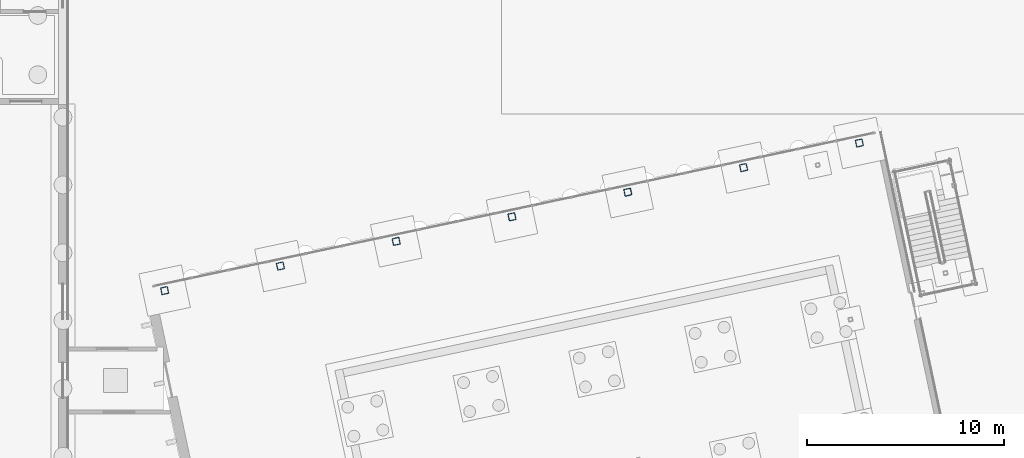
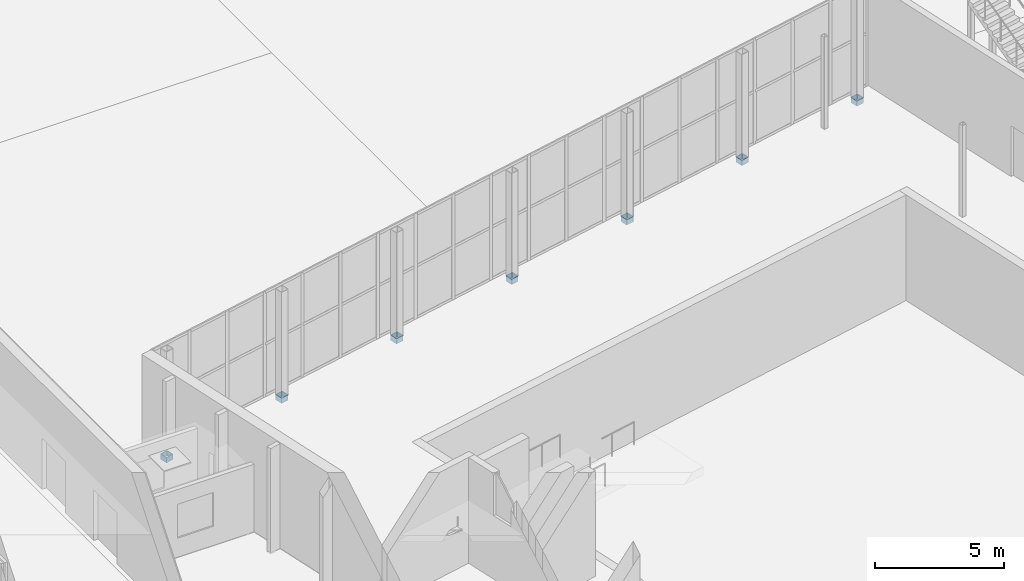
# One storey, part 31 of 157: 7 columns.
"""IFC4 building model written with IfcOpenShell, lengths in metres."""

import ifcopenshell
import ifcopenshell.guid

model = None  # the IFC model being written
_history = None  # IfcOwnerHistory: only IFC2X3 demands one
_inside = {}  # id of a spatial element -> (the spatial element, [elements in it])
_under = {}  # id of a project, library or spatial element -> (it, [spatial elements below it])
_declared = {}  # id of a project -> (the project, [libraries it declares])
_typed = {}  # id of a type object -> (the type object, [elements of that type])
_made_of = {}  # id of a material, layer set ... -> (it, [elements and type objects made of it])


def new_model(schema):
    """Start an empty IFC model of exactly this schema.

    Asked for "IFC4X3", IfcOpenShell would pick the latest addendum, in which some entities
    have other attributes; the version numbers below select the first issue.
    IFC2X3 requires an IfcOwnerHistory on every rooted entity: one is made here for all.
    """
    global model, _history
    if schema == "IFC4X3":
        model = ifcopenshell.file(schema_version=(4, 3, 0, 0))
    else:
        model = ifcopenshell.file(schema=schema)
    _inside.clear()
    _under.clear()
    _declared.clear()
    _typed.clear()
    _made_of.clear()
    _history = None
    if model.schema == "IFC2X3":
        org = make("IfcOrganization", Name="unknown")
        user = make(
            "IfcPersonAndOrganization",
            ThePerson=make("IfcPerson", FamilyName="unknown"),
            TheOrganization=org,
        )
        app = make(
            "IfcApplication",
            ApplicationDeveloper=org,
            Version="unknown",
            ApplicationFullName="unknown",
            ApplicationIdentifier="unknown",
        )
        _history = make(
            "IfcOwnerHistory",
            OwningUser=user,
            OwningApplication=app,
            ChangeAction="ADDED",
            CreationDate=0,
        )
    return model


def make(cls, **values):
    """One entity of the class cls with the attributes given. An attribute that is None is left unset."""
    return model.create_entity(
        cls, **{name: value for name, value in values.items() if value is not None}
    )


def rooted(cls, **values):
    """An entity with a GlobalId (a new one), such as an element, a storey or a relation."""
    return make(cls, GlobalId=ifcopenshell.guid.new(), OwnerHistory=_history, **values)


def si_unit(unit_type, name, prefix=None):
    """IfcSIUnit, for example si_unit("LENGTHUNIT", "METRE", prefix="MILLI")."""
    return make("IfcSIUnit", UnitType=unit_type, Prefix=prefix, Name=name)


def assignment(units):
    """IfcUnitAssignment: the units of a project."""
    return None if units is None else make("IfcUnitAssignment", Units=units)


def point(xyz):
    """IfcCartesianPoint."""
    return None if xyz is None else make("IfcCartesianPoint", Coordinates=xyz)


def direction(xyz):
    """IfcDirection."""
    return None if xyz is None else make("IfcDirection", DirectionRatios=xyz)


def frame(location, z_axis=None, x_axis=None):
    """IfcAxis2Placement3D, a coordinate frame: its origin and axes. An axis left out is left unset."""
    return make(
        "IfcAxis2Placement3D",
        Location=point(location),
        Axis=direction(z_axis),
        RefDirection=direction(x_axis),
    )


def frame_2d(location, x_axis=None):
    """IfcAxis2Placement2D, a coordinate frame in the plane: its origin and x axis."""
    return make(
        "IfcAxis2Placement2D", Location=point(location), RefDirection=direction(x_axis)
    )


def origin():
    """The frame at (0, 0, 0) with its axes left unset."""
    return frame((0.0, 0.0, 0.0))


def origin_2d():
    """The frame at (0, 0) in the plane with its x axis left unset."""
    return frame_2d((0.0, 0.0))


def place(relative_to, where):
    """IfcLocalPlacement: puts the frame where relative to a parent placement (None: the world)."""
    return make(
        "IfcLocalPlacement", PlacementRelTo=relative_to, RelativePlacement=where
    )


def context(
    kind, dimensions, precision=None, world=None, true_north=None, identifier=None
):
    """IfcGeometricRepresentationContext, for example the 3D "Model" context."""
    return make(
        "IfcGeometricRepresentationContext",
        ContextIdentifier=identifier,
        ContextType=kind,
        CoordinateSpaceDimension=dimensions,
        Precision=precision,
        WorldCoordinateSystem=world,
        TrueNorth=true_north,
    )


def subcontext(parent, identifier, kind, view, scale=None):
    """IfcGeometricRepresentationSubContext, for example "Body" below "Model"."""
    return make(
        "IfcGeometricRepresentationSubContext",
        ContextIdentifier=identifier,
        ContextType=kind,
        ParentContext=parent,
        TargetScale=scale,
        TargetView=view,
    )


def project(units=None, contexts=None):
    """IfcProject with its units and contexts."""
    return rooted(
        "IfcProject",
        Name="project",
        RepresentationContexts=contexts,
        UnitsInContext=assignment(units),
    )


def spatial(cls, under=None, at=None, **own):
    """A site, building, storey or space (cls), placed at a placement, below another one or the project."""
    s = rooted(cls, ObjectPlacement=at, **own)
    if under is not None:
        _under.setdefault(under.id(), (under, []))[1].append(s)
    return s


def profile(cls, at=None, kind="AREA", **sizes):
    """A parametric profile (cls). Its sizes go by their IFC names, for example OverallWidth=200.0."""
    return make(cls, ProfileType=kind, Position=at, **sizes)


def hollow_rectangle(**sizes):
    """IfcRectangleHollowProfileDef."""
    return profile("IfcRectangleHollowProfileDef", **sizes)


def extrude(swept, where, along, depth):
    """IfcExtrudedAreaSolid: the profile swept, set in the frame where, extruded along a direction by depth."""
    return make(
        "IfcExtrudedAreaSolid",
        SweptArea=swept,
        Position=where,
        ExtrudedDirection=direction(along),
        Depth=depth,
    )


def shape(context_of_items, identifier, shape_type, items):
    """IfcShapeRepresentation: the items that make up one representation, for example the "Body"."""
    return make(
        "IfcShapeRepresentation",
        ContextOfItems=context_of_items,
        RepresentationIdentifier=identifier,
        RepresentationType=shape_type,
        Items=items,
    )


def material(Name=None, Category=None):
    """IfcMaterial."""
    return make("IfcMaterial", Name=Name, Category=Category)


def material_profile(
    of_material, cross_section, Name=None, Category=None, Priority=None
):
    """IfcMaterialProfile: a cross section and its material."""
    return make(
        "IfcMaterialProfile",
        Name=Name,
        Material=of_material,
        Profile=cross_section,
        Priority=Priority,
        Category=Category,
    )


def profile_set(profiles, Name=None, composite=None):
    """IfcMaterialProfileSet."""
    return make(
        "IfcMaterialProfileSet",
        Name=Name,
        MaterialProfiles=profiles,
        CompositeProfile=composite,
    )


def made_of(thing, what):
    """Note that an element or type object is made of a material, layer set ...; save() writes the relation."""
    if what is not None:
        _made_of.setdefault(what.id(), (what, []))[1].append(thing)
    return thing


def type_object(cls, material=None, **own):
    """A type object (cls), such as IfcWallType, which elements share."""
    return made_of(rooted(cls, **own), material)


def element(
    cls,
    number,
    at=None,
    inside=None,
    cuts=None,
    type_object=None,
    material=None,
    context=None,
    identifier="Body",
    shape_type=None,
    held_by="IfcProductDefinitionShape",
    body=None,
    shapes=None,
    **own,
):
    """One element of the class cls, such as IfcWall. Its Tag is "e" and its number.

    at: its placement. inside: the storey or other place that contains it. cuts: it is an
    opening in that element (IfcRelVoidsElement). A single representation is given by context,
    identifier, shape_type and body (its items); several are given by shapes. held_by: the class
    of the entity that holds the representations. save() writes the other relations.
    """
    e = rooted(cls, Tag="e%d" % number, ObjectPlacement=at, **own)
    if body is not None:
        shapes = [shape(context, identifier, shape_type, body)]
    if shapes is not None:
        e.Representation = make(held_by, Representations=shapes)
    if inside is not None:
        _inside.setdefault(inside.id(), (inside, []))[1].append(e)
    if cuts is not None:
        rooted(
            "IfcRelVoidsElement", RelatingBuildingElement=cuts, RelatedOpeningElement=e
        )
    if type_object is not None:
        _typed.setdefault(type_object.id(), (type_object, []))[1].append(e)
    return made_of(e, material)


def aggregate(whole, parts):
    """IfcRelAggregates: a whole, such as a stair, and the parts it consists of."""
    return rooted("IfcRelAggregates", RelatingObject=whole, RelatedObjects=parts)


def save(model, path):
    """Write the relations noted so far, then the file.

    IfcRelAggregates (storeys below a building ...), IfcRelContainedInSpatialStructure (elements
    in a storey), IfcRelDefinesByType, IfcRelAssociatesMaterial and IfcRelDeclares: one each for
    every whole, place, type object, material and project.
    """
    for whole, parts in _under.values():
        aggregate(whole, parts)
    for where, things in _inside.values():
        rooted(
            "IfcRelContainedInSpatialStructure",
            RelatedElements=things,
            RelatingStructure=where,
        )
    for kind, things in _typed.values():
        rooted("IfcRelDefinesByType", RelatedObjects=things, RelatingType=kind)
    for what, things in _made_of.values():
        rooted("IfcRelAssociatesMaterial", RelatedObjects=things, RelatingMaterial=what)
    for by, libraries in _declared.values():
        rooted("IfcRelDeclares", RelatingContext=by, RelatedDefinitions=libraries)
    model.write(path)


model = new_model("IFC4")

# Units and contexts
model_context = context("Model", 3, precision=1e-05, world=origin(), true_north=direction((0.0, 1.0)))
body_context = subcontext(model_context, "Body", "Model", "MODEL_VIEW")
ifc_project = project(units=[si_unit("LENGTHUNIT", "METRE"), si_unit("AREAUNIT", "SQUARE_METRE"), si_unit("VOLUMEUNIT", "CUBIC_METRE"), si_unit("PLANEANGLEUNIT", "RADIAN"), si_unit("MASSUNIT", "GRAM", prefix="KILO")], contexts=[model_context])

# Site, building, storey
site_placement = place(None, origin())
site = spatial("IfcSite", under=ifc_project, at=site_placement, CompositionType="ELEMENT")
building_placement = place(site_placement, origin())
building = spatial("IfcBuilding", under=site, at=building_placement, Name="Windward Yard Aquatics Centre", CompositionType="ELEMENT")
storey_placement = place(building_placement, origin())
storey = spatial("IfcBuildingStorey", under=building, at=storey_placement, Name="L00", CompositionType="ELEMENT", Elevation=0.0)

# Columns
ifc_material = material(Name="Steel ASTM A500 Gr C", Category="steel")
ifc_material_profile = material_profile(ifc_material, hollow_rectangle(XDim=0.355712890625, YDim=0.355712890625, WallThickness=0.015869140625, InnerFilletRadius=0.008056640625, OuterFilletRadius=0.02392578125, at=origin_2d()), Name="HSS356X356X15.9")
ifc_profile_set = profile_set([ifc_material_profile], Name="Steel ASTM A500 Gr C")
column_type = type_object("IfcColumnType", Name="D column HSS356X356X15.9", PredefinedType="COLUMN", material=ifc_profile_set)
for number, where, z_axis, x_axis, name in (
    (1, (156.929443359375, 74.553466796875, -0.25), (0.0, 0.0, 1.0), (0.978147600734, 0.207911690818, 0.0), "D.COL.1.2.1"),
    (2, (162.79833984375, 75.801025390625, -0.25), (0.0, 0.0, 1.0), (0.978147600734, 0.207911690818, 0.0), "D.COL.2.2.1"),
    (3, (168.667236328125, 77.048583984375, -0.25), (0.0, 0.0, 1.0), (0.978147600734, 0.207911690818, 0.0), "D.COL.3.2.1"),
    (4, (174.5361328125, 78.2958984375, -0.25), (0.0, 0.0, 1.0), (0.978147600734, 0.207911690818, 0.0), "D.COL.4.2.1"),
    (5, (180.405029296875, 79.54345703125, -0.25), (0.0, 0.0, 1.0), (0.978147600734, 0.207911690818, 0.0), "D.COL.5.2.1"),
    (6, (186.27392578125, 80.791015625, -0.25), (0.0, 0.0, 1.0), (0.978147600734, 0.207911690818, 0.0), "D.COL.6.2.1"),
    (7, (192.142822265625, 82.038330078125, -0.25), (0.0, 0.0, 1.0), (0.978147600734, 0.207911690818, 0.0), "D.COL.7.2.1"),
):
    element("IfcColumn", number, at=place(storey_placement, frame(where, z_axis=z_axis, x_axis=x_axis)), inside=storey, type_object=column_type, Name=name, PredefinedType="COLUMN", context=body_context, shape_type="SweptSolid", body=[
        extrude(hollow_rectangle(XDim=0.355712890625, YDim=0.355712890625, WallThickness=0.015869140625, InnerFilletRadius=0.008056640625, OuterFilletRadius=0.02392578125, at=origin_2d()), origin(), (0.0, 0.0, 1.0), 0.25),
    ])

save(model, "model.ifc")
